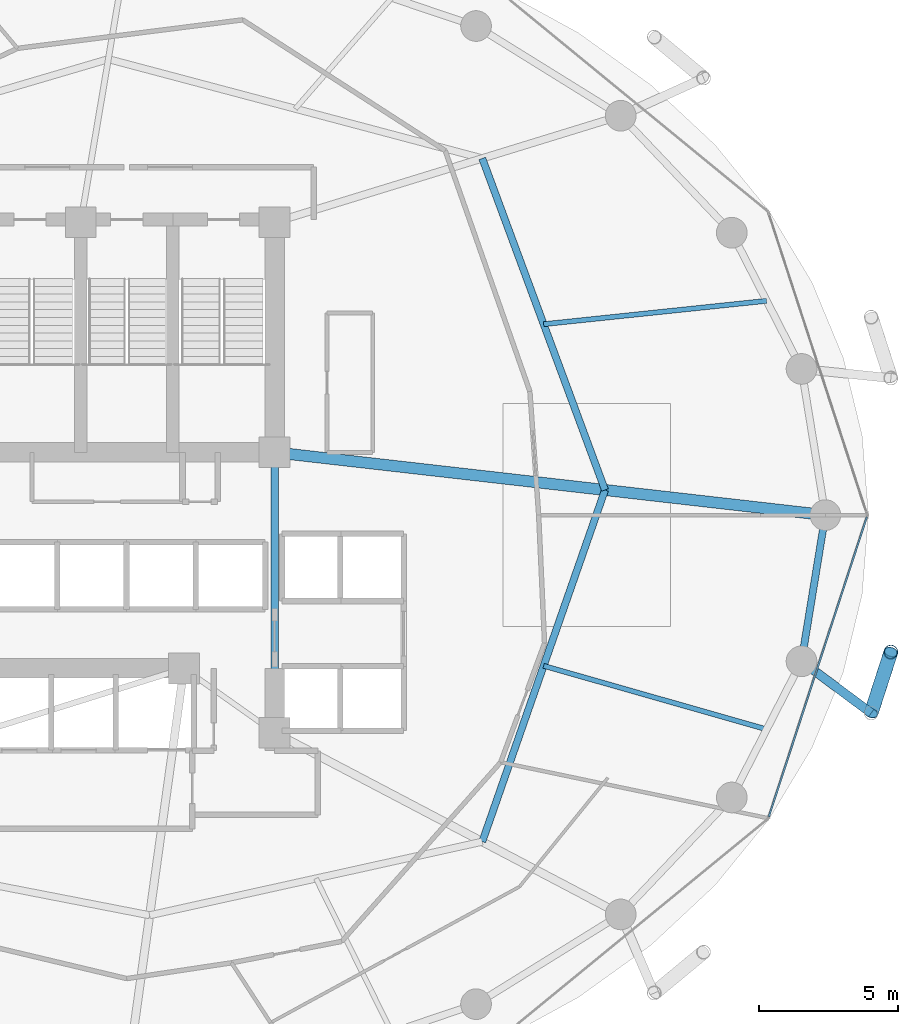
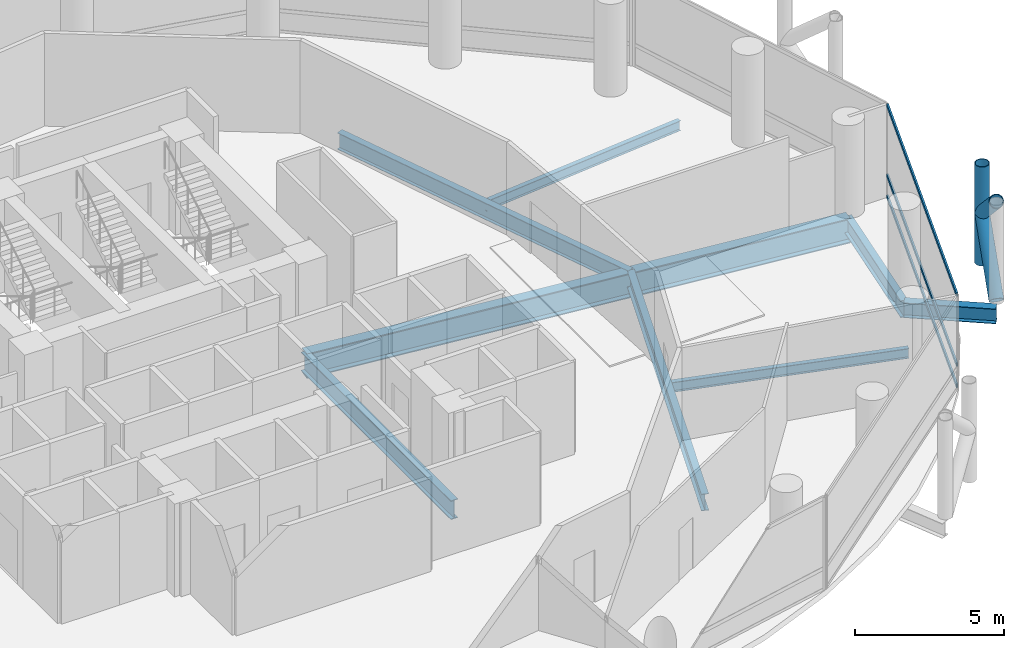
# One storey, part 11 of 24: 8 beams, 6 members, 1 element without a shape of its own.
"""IFC4 building model written with IfcOpenShell, lengths in metres."""

from ifc_helpers import new_model, si_unit, direction, frame, origin, origin_2d, place, context, subcontext, project, spatial, hollow_rectangle, hollow_circle, i_section, extrude, material, layer, layer_set, material_profile, profile_set, type_object, element, aggregate, save


model = new_model("IFC4")

# Units and contexts
model_context = context("Model", 3, precision=1e-05, world=origin(), true_north=direction((0.0, 1.0)))
body_context = subcontext(model_context, "Body", "Model", "MODEL_VIEW")
ifc_project = project(units=[si_unit("LENGTHUNIT", "METRE"), si_unit("AREAUNIT", "SQUARE_METRE"), si_unit("VOLUMEUNIT", "CUBIC_METRE"), si_unit("PLANEANGLEUNIT", "RADIAN"), si_unit("MASSUNIT", "GRAM", prefix="KILO")], contexts=[model_context])

# Site, building, storey
site_placement = place(None, origin())
site = spatial("IfcSite", under=ifc_project, at=site_placement, CompositionType="ELEMENT")
building_placement = place(site_placement, origin())
building = spatial("IfcBuilding", under=site, at=building_placement, Name="Nuhasar Tower", CompositionType="ELEMENT")
storey_placement = place(building_placement, frame((0.0, 0.0, 85.800048828125)))
storey = spatial("IfcBuildingStorey", under=building, at=storey_placement, Name="L20", CompositionType="ELEMENT", Elevation=85.800048828125)

# Beams
ifc_material_1 = material(Name="Steel S355", Category="steel")
ifc_material_profile_1 = material_profile(ifc_material_1, i_section(OverallWidth=0.25390625, OverallDepth=0.68408203125, WebThickness=0.012451171875, FlangeThickness=0.018798828125, at=origin_2d()), Name="W27X94")
ifc_profile_set_1 = profile_set([ifc_material_profile_1], Name="Steel S355")
beam_type_1 = type_object("IfcBeamType", Name="BM-INRING-W27X94", PredefinedType="BEAM", material=ifc_profile_set_1)
beam_1_placement = place(storey_placement, frame((51.748046875, 15.089111328125, -0.592041015625), z_axis=(0.329554049858, 0.944136710558, 0.0), x_axis=(-0.944136710558, 0.329554049858, 0.0)))
element("IfcBeam", 1, at=beam_1_placement, inside=storey, type_object=beam_type_1, Name="L20 Inner Header Beam 03", PredefinedType="BEAM", context=body_context, shape_type="SweptSolid", body=[
    extrude(i_section(OverallWidth=0.25390625, OverallDepth=0.68408203125, WebThickness=0.012451171875, FlangeThickness=0.018798828125, at=origin_2d()), origin(), (0.0, 0.0, 1.0), 13.35693359375),
])
beam_2_placement = place(storey_placement, frame((56.14990234375, 27.699951171875, -0.592041015625), z_axis=(-0.34715757476, 0.937806812881, 0.0), x_axis=(-0.937806812881, -0.34715757476, 0.0)))
element("IfcBeam", 2, at=beam_2_placement, inside=storey, type_object=beam_type_1, Name="L20 Inner Header Beam 04", PredefinedType="BEAM", context=body_context, shape_type="SweptSolid", body=[
    extrude(i_section(OverallWidth=0.25390625, OverallDepth=0.68408203125, WebThickness=0.012451171875, FlangeThickness=0.018798828125, at=origin_2d()), origin(), (0.0, 0.0, 1.0), 12.6796875),
])
ifc_material_profile_2 = material_profile(ifc_material_1, i_section(OverallWidth=0.177978515625, OverallDepth=0.406005859375, WebThickness=0.0078125, FlangeThickness=0.0126953125, at=origin_2d()), Name="W16X40")
ifc_profile_set_2 = profile_set([ifc_material_profile_2], Name="Steel S355")
beam_type_2 = type_object("IfcBeamType", Name="BM-JST-W16X40", PredefinedType="JOIST", material=ifc_profile_set_2)
beam_3_placement = place(storey_placement, frame((53.948974609375, 21.39501953125, -0.453125), z_axis=(0.961730884496, -0.273995813484, 0.0), x_axis=(0.273995813484, 0.961730884496, 0.0)))
element("IfcBeam", 3, at=beam_3_placement, inside=storey, type_object=beam_type_2, Name="L20 Secondary Floor Joist 03", PredefinedType="JOIST", context=body_context, shape_type="SweptSolid", body=[
    extrude(i_section(OverallWidth=0.177978515625, OverallDepth=0.406005859375, WebThickness=0.0078125, FlangeThickness=0.0126953125, at=origin_2d()), origin(), (0.0, 0.0, 1.0), 8.314208984375),
])
beam_4_placement = place(storey_placement, frame((53.948974609375, 33.64501953125, -0.453125), z_axis=(0.994554594377, 0.104216883485, 0.0), x_axis=(-0.104216883485, 0.994554594377, 0.0)))
element("IfcBeam", 4, at=beam_4_placement, inside=storey, type_object=beam_type_2, Name="L20 Secondary Floor Joist 04", PredefinedType="JOIST", context=body_context, shape_type="SweptSolid", body=[
    extrude(i_section(OverallWidth=0.177978515625, OverallDepth=0.406005859375, WebThickness=0.0078125, FlangeThickness=0.0126953125, at=origin_2d()), origin(), (0.0, 0.0, 1.0), 8.039794921875),
])
ifc_material_profile_3 = material_profile(ifc_material_1, i_section(OverallWidth=0.26611328125, OverallDepth=0.779052734375, WebThickness=0.0166015625, FlangeThickness=0.030029296875, at=origin_2d()), Name="W30X148")
ifc_profile_set_3 = profile_set([ifc_material_profile_3], Name="Steel S355")
beam_type_3 = type_object("IfcBeamType", Name="BM-RAD-W30X148", PredefinedType="BEAM", material=ifc_profile_set_3)
beam_5_placement = place(storey_placement, frame((44.300048828125, 19.0, -0.64013671875), z_axis=(0.0, 1.0, 0.0), x_axis=(-1.0, 0.0, 0.0)))
element("IfcBeam", 5, at=beam_5_placement, inside=storey, type_object=beam_type_3, Name="L20 Core Ring Girder 3", PredefinedType="BEAM", context=body_context, shape_type="SweptSolid", body=[
    extrude(i_section(OverallWidth=0.26611328125, OverallDepth=0.779052734375, WebThickness=0.0166015625, FlangeThickness=0.030029296875, at=origin_2d()), origin(), (0.0, 0.0, 1.0), 10.050048828125),
])
ifc_material_profile_4 = material_profile(ifc_material_1, i_section(OverallWidth=0.256103515625, OverallDepth=0.693115234375, WebThickness=0.014404296875, FlangeThickness=0.023681640625, at=origin_2d()), Name="W27X114")
ifc_profile_set_4 = profile_set([ifc_material_profile_4], Name="Steel S355")
beam_type_4 = type_object("IfcBeamType", Name="BM-RING-W27X114", PredefinedType="SPANDREL", material=ifc_profile_set_4)
beam_6_placement = place(storey_placement, frame((63.196044921875, 21.55908203125, -0.59716796875), z_axis=(0.160826635486, 0.986982671235, 0.0), x_axis=(-0.986982671235, 0.160826635486, 0.0)))
element("IfcBeam", 6, at=beam_6_placement, inside=storey, type_object=beam_type_4, Name="L20 Perimeter Ring Spandrel 24", PredefinedType="SPANDREL", context=body_context, shape_type="SweptSolid", body=[
    extrude(i_section(OverallWidth=0.256103515625, OverallDepth=0.693115234375, WebThickness=0.014404296875, FlangeThickness=0.023681640625, at=origin_2d()), origin(), (0.0, 0.0, 1.0), 5.31005859375),
])
ifc_material_profile_5 = material_profile(ifc_material_1, i_section(OverallWidth=0.323974609375, OverallDepth=0.611083984375, WebThickness=0.0126953125, FlangeThickness=0.01904296875, at=origin_2d()), Name="W24X104")
ifc_profile_set_5 = profile_set([ifc_material_profile_5], Name="Steel S355")
beam_type_5 = type_object("IfcBeamType", Name="BM-TIE-W24X104", PredefinedType="BEAM", material=ifc_profile_set_5)
beam_7_placement = place(storey_placement, frame((63.196044921875, 21.55908203125, -0.554931640625), z_axis=(0.802113478067, -0.597171640572, 0.0), x_axis=(0.597171640572, 0.802113478067, 0.0)))
element("IfcBeam", 7, at=beam_7_placement, inside=storey, type_object=beam_type_5, Name="L20 Exoskeleton Node Tie Beam 12", PredefinedType="BEAM", context=body_context, shape_type="SweptSolid", body=[
    extrude(i_section(OverallWidth=0.323974609375, OverallDepth=0.611083984375, WebThickness=0.0126953125, FlangeThickness=0.01904296875, at=origin_2d()), origin(), (0.0, 0.0, 1.0), 3.111572265625),
])
ifc_material_2 = material(Name="Steel S460", Category="steel")
ifc_material_profile_6 = material_profile(ifc_material_2, i_section(OverallWidth=0.40087890625, OverallDepth=1.010009765625, WebThickness=0.023681640625, FlangeThickness=0.0419921875, at=origin_2d()), Name="W40X297")
ifc_profile_set_6 = profile_set([ifc_material_profile_6], Name="Steel S460")
beam_type_6 = type_object("IfcBeamType", Name="BM-XFER-W40X297", PredefinedType="USERDEFINED", material=ifc_profile_set_6)
beam_8_placement = place(storey_placement, frame((44.300048828125, 29.050048828125, -0.755126953125), z_axis=(0.993573147212, -0.113191877531, 0.0), x_axis=(0.113191877531, 0.993573147212, 0.0)))
element("IfcBeam", 8, at=beam_8_placement, inside=storey, type_object=beam_type_6, Name="L20 Radial Floor Girder 04", ObjectType="GIRDER", PredefinedType="USERDEFINED", context=body_context, shape_type="SweptSolid", body=[
    extrude(i_section(OverallWidth=0.40087890625, OverallDepth=1.010009765625, WebThickness=0.023681640625, FlangeThickness=0.0419921875, at=origin_2d()), origin(), (0.0, 0.0, 1.0), 19.877685546875),
])

# Curtain wall, members
ifc_material_3 = material(Name="Aluminium 6063-T6", Category="aluminium")
ifc_layer = layer(ifc_material_3, 0.199951171875)
ifc_layer_set = layer_set([ifc_layer], Name="Aluminium 6063-T6")
curtain_wall_type = type_object("IfcCurtainWallType", Name="CW-Z1-OFF", PredefinedType="NOTDEFINED", material=ifc_layer_set)
curtain_wall_placement = place(storey_placement, origin())
curtain_wall = element("IfcCurtainWall", 9, at=curtain_wall_placement, inside=storey, type_object=curtain_wall_type, Name="L20 Unitised Curtain Wall 12", PredefinedType="NOTDEFINED")
ifc_material_profile_7 = material_profile(ifc_material_3, hollow_rectangle(XDim=0.06494140625, YDim=0.14990234375, WallThickness=0.00439453125, at=origin_2d()), Name="CWT-2")
ifc_profile_set_7 = profile_set([ifc_material_profile_7], Name="Aluminium 6063-T6")
member_type_1 = type_object("IfcMemberType", Name="CW-TRN-S2", PredefinedType="USERDEFINED", material=ifc_profile_set_7)
member_1_placement = place(storey_placement, frame((62.022216796875, 15.981689453125, 0.032470703125), z_axis=(0.310818687697, 0.950469222741, 0.0), x_axis=(-0.950469222741, 0.310818687697, 0.0)))
member_1 = element("IfcMember", 10, at=member_1_placement, type_object=member_type_1, Name="CW-Z1 transom 1.1", ObjectType="TRANSOM", PredefinedType="USERDEFINED", context=body_context, shape_type="SweptSolid", body=[
    extrude(hollow_rectangle(XDim=0.06494140625, YDim=0.14990234375, WallThickness=0.00439453125, at=origin_2d()), origin(), (0.0, 0.0, 1.0), 11.317138671875),
])
member_2_placement = place(storey_placement, frame((62.022216796875, 15.981689453125, 0.89990234375), z_axis=(0.310818687697, 0.950469222741, 0.0), x_axis=(-0.950469222741, 0.310818687697, 0.0)))
member_2 = element("IfcMember", 11, at=member_2_placement, type_object=member_type_1, Name="CW-Z1 transom 1.2", ObjectType="TRANSOM", PredefinedType="USERDEFINED", context=body_context, shape_type="SweptSolid", body=[
    extrude(hollow_rectangle(XDim=0.06494140625, YDim=0.14990234375, WallThickness=0.00439453125, at=origin_2d()), origin(), (0.0, 0.0, 1.0), 11.317138671875),
])
member_3_placement = place(storey_placement, frame((62.022216796875, 15.981689453125, 3.767333984375), z_axis=(0.310818687697, 0.950469222741, 0.0), x_axis=(-0.950469222741, 0.310818687697, 0.0)))
member_3 = element("IfcMember", 12, at=member_3_placement, type_object=member_type_1, Name="CW-Z1 transom 1.3", ObjectType="TRANSOM", PredefinedType="USERDEFINED", context=body_context, shape_type="SweptSolid", body=[
    extrude(hollow_rectangle(XDim=0.06494140625, YDim=0.14990234375, WallThickness=0.00439453125, at=origin_2d()), origin(), (0.0, 0.0, 1.0), 11.317138671875),
])
aggregate(curtain_wall, [member_1, member_2, member_3])

# Members
ifc_material_profile_8 = material_profile(ifc_material_2, hollow_circle(Radius=0.25390625, WallThickness=0.025390625, at=origin_2d()), Name="HSS508X25.4")
ifc_profile_set_8 = profile_set([ifc_material_profile_8], Name="Steel S460")
member_type_2 = type_object("IfcMemberType", Name="EXO-BRONZE-508", PredefinedType="BRACE", material=ifc_profile_set_8)
member_4_placement = place(storey_placement, frame((66.39990234375, 21.889892578125, 0.0), z_axis=(0.0, 0.0, 1.0), x_axis=(1.0, 0.0, 0.0)))
element("IfcMember", 13, at=member_4_placement, inside=storey, type_object=member_type_2, Name="L20 Exoskeleton Chord Column EC-12B", PredefinedType="BRACE", context=body_context, shape_type="SweptSolid", body=[
    extrude(hollow_circle(Radius=0.25390625, WallThickness=0.025390625, at=origin_2d()), origin(), (0.0, 0.0, 1.0), 4.050048828125),
])
member_5_placement = place(storey_placement, frame((65.69189453125, 19.700927734375, 0.0), z_axis=(0.231011836313, 0.714224870475, 0.660693851854), x_axis=(-0.951468282519, 0.307746823478, 0.0)))
element("IfcMember", 14, at=member_5_placement, inside=storey, type_object=member_type_2, Name="L20 Bronze Diagrid Brace W1-12", PredefinedType="BRACE", context=body_context, shape_type="SweptSolid", body=[
    extrude(hollow_circle(Radius=0.25390625, WallThickness=0.025390625, at=origin_2d()), origin(), (0.0, 0.0, 1.0), 3.064697265625),
])
member_6_placement = place(storey_placement, frame((66.39990234375, 21.889892578125, 2.02490234375), z_axis=(-0.230999678299, -0.714187281251, 0.660738734997), x_axis=(0.951468282519, -0.307746823478, 0.0)))
element("IfcMember", 15, at=member_6_placement, inside=storey, type_object=member_type_2, Name="L20 Bronze Diagrid Brace W2-12", PredefinedType="BRACE", context=body_context, shape_type="SweptSolid", body=[
    extrude(hollow_circle(Radius=0.25390625, WallThickness=0.025390625, at=origin_2d()), origin(), (0.0, 0.0, 1.0), 3.06494140625),
])

save(model, "model.ifc")
